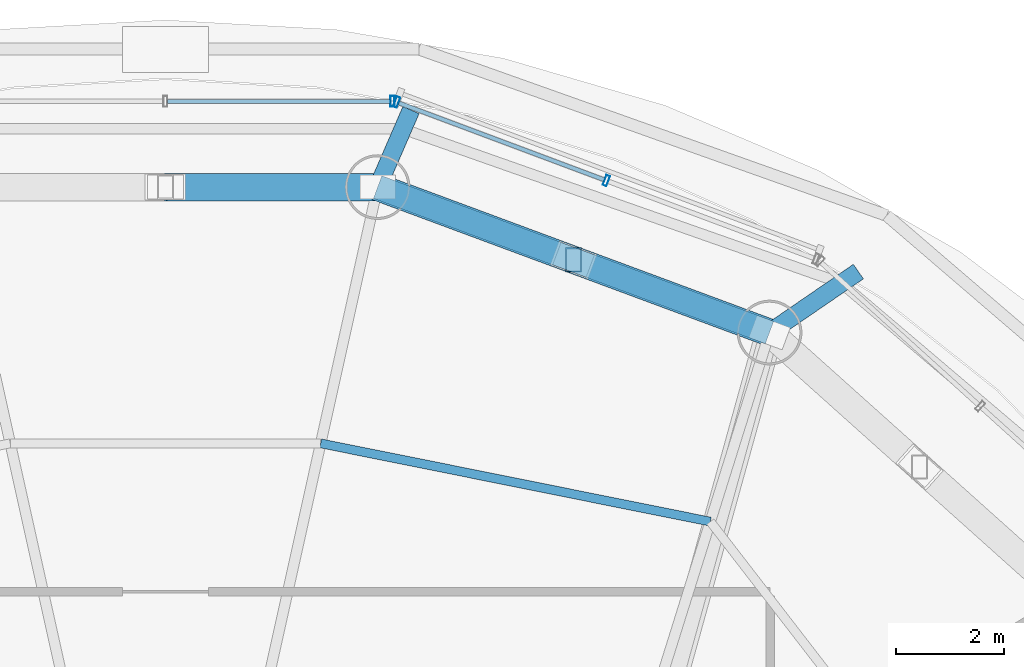
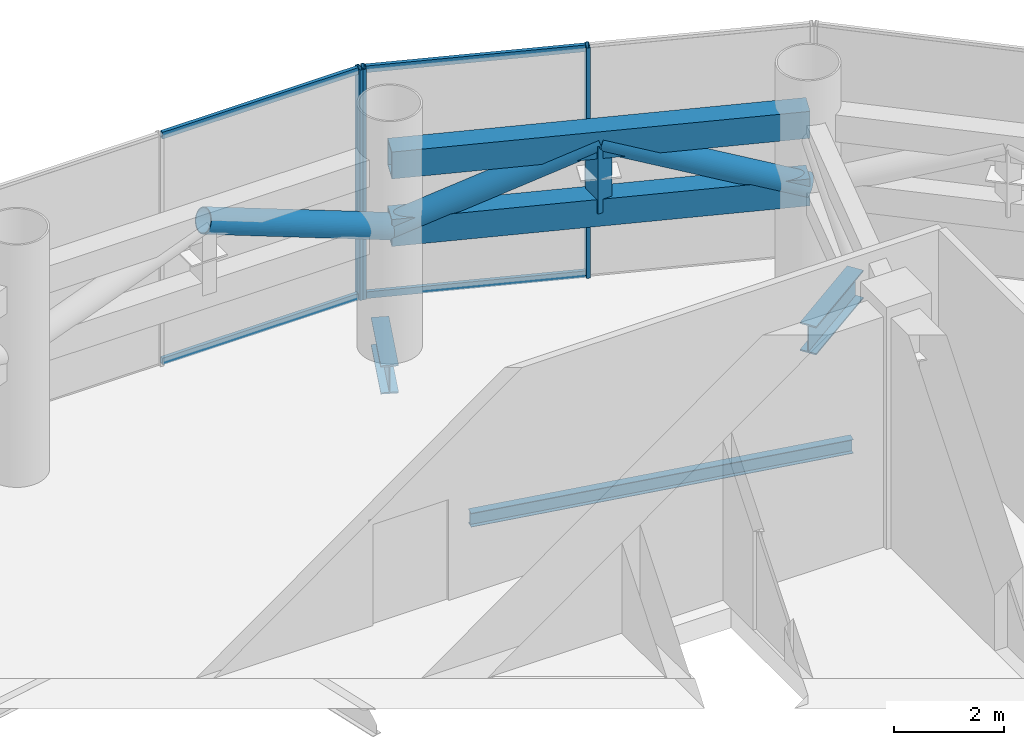
# One storey, part 17 of 25: 13 members, 3 beams, 2 elements without a shape of their own.
"""IFC4 building model written with IfcOpenShell, lengths in metres."""

from ifc_helpers import new_model, si_unit, direction, frame, origin, origin_2d, place, context, subcontext, project, spatial, hollow_rectangle, hollow_circle, i_section, extrude, source, transform, mapped, material, material_profile, profile_set, type_object, element, aggregate, save


model = new_model("IFC4")

# Units and contexts
model_context = context("Model", 3, precision=1e-05, world=origin(), true_north=direction((-0.2419218956, 0.970295726276)))
body_context = subcontext(model_context, "Body", "Model", "MODEL_VIEW")
ifc_project = project(units=[si_unit("LENGTHUNIT", "METRE"), si_unit("AREAUNIT", "SQUARE_METRE"), si_unit("VOLUMEUNIT", "CUBIC_METRE"), si_unit("PLANEANGLEUNIT", "RADIAN"), si_unit("MASSUNIT", "GRAM", prefix="KILO")], contexts=[model_context])

# Site, building, storey
site_placement = place(None, origin())
site = spatial("IfcSite", under=ifc_project, at=site_placement, CompositionType="ELEMENT")
building_placement = place(site_placement, origin())
building = spatial("IfcBuilding", under=site, at=building_placement, Name="Cobrevalo Terracotta Tower", CompositionType="ELEMENT")
storey_placement = place(building_placement, frame((0.0, 0.0, 185.800048828125)))
storey = spatial("IfcBuildingStorey", under=building, at=storey_placement, Name="L49", CompositionType="ELEMENT", Elevation=185.800048828125)

# Beams
ifc_material_1 = material(Name="Steel S355", Category="steel")
ifc_material_profile_1 = material_profile(ifc_material_1, i_section(OverallWidth=0.3291015625, OverallDepth=0.635009765625, WebThickness=0.017822265625, FlangeThickness=0.031005859375, at=origin_2d()), Name="W 610x241")
ifc_profile_set_1 = profile_set([ifc_material_profile_1], Name="Steel S355")
beam_type_1 = type_object("IfcBeamType", Name="Structural Beam W 610x241 (Steel S355)", PredefinedType="BEAM", material=ifc_profile_set_1)
beam_1_placement = place(storey_placement, frame((50.841552734375, 42.9375, -0.767578125), z_axis=(-0.82467996977, -0.565599635308, 0.0), x_axis=(0.565599635308, -0.82467996977, 0.0)))
element("IfcBeam", 1, at=beam_1_placement, inside=storey, type_object=beam_type_1, Name="L49 setback step-link girder 03", PredefinedType="BEAM", context=body_context, shape_type="SweptSolid", body=[
    extrude(i_section(OverallWidth=0.3291015625, OverallDepth=0.635009765625, WebThickness=0.017822265625, FlangeThickness=0.031005859375, at=origin_2d()), origin(), (0.0, 0.0, 1.0), 1.996826171875),
])
beam_2_placement = place(storey_placement, frame((42.550537109375, 45.9306640625, -0.767578125), z_axis=(-0.398043294493, -0.91736663102, 0.0), x_axis=(0.91736663102, -0.398043294493, 0.0)))
element("IfcBeam", 2, at=beam_2_placement, inside=storey, type_object=beam_type_1, Name="L49 setback step-link girder 04", PredefinedType="BEAM", context=body_context, shape_type="SweptSolid", body=[
    extrude(i_section(OverallWidth=0.3291015625, OverallDepth=0.635009765625, WebThickness=0.017822265625, FlangeThickness=0.031005859375, at=origin_2d()), origin(), (0.0, 0.0, 1.0), 1.55615234375),
])
ifc_material_profile_2 = material_profile(ifc_material_1, i_section(OverallWidth=0.1650390625, OverallDepth=0.31005859375, WebThickness=0.005859375, FlangeThickness=0.009765625, at=origin_2d()), Name="W 310x38.7")
ifc_profile_set_2 = profile_set([ifc_material_profile_2], Name="Steel S355")
beam_type_2 = type_object("IfcBeamType", Name="Structural Joist W 310x38.7 (Steel S355)", PredefinedType="JOIST", material=ifc_profile_set_2)
beam_3_placement = place(storey_placement, frame((48.097412109375, 38.303955078125, -0.60498046875), z_axis=(-0.980423545849, 0.196900154253, 0.0), x_axis=(-0.196900154253, -0.980423545849, 0.0)))
element("IfcBeam", 3, at=beam_3_placement, inside=storey, type_object=beam_type_2, Name="L49 circumferential secondary floor joist 03", PredefinedType="JOIST", context=body_context, shape_type="SweptSolid", body=[
    extrude(i_section(OverallWidth=0.1650390625, OverallDepth=0.31005859375, WebThickness=0.005859375, FlangeThickness=0.009765625, at=origin_2d()), origin(), (0.0, 0.0, 1.0), 7.365234375),
])

# Members
ifc_material_profile_3 = material_profile(ifc_material_1, hollow_rectangle(XDim=0.300048828125, YDim=0.449951171875, WallThickness=0.02001953125, at=origin_2d()), Name="RHS 450x300x20")
ifc_profile_set_3 = profile_set([ifc_material_profile_3], Name="Steel S355")
member_type_1 = type_object("IfcMemberType", Name="Steel Post RHS 450x300x20 (Steel S355)", PredefinedType="POST", material=ifc_profile_set_3)
shared_shape_1 = source(origin(), body_context, "Body", "SweptSolid", [
    extrude(hollow_rectangle(XDim=0.300048828125, YDim=0.449951171875, WallThickness=0.02001953125, at=origin_2d()), origin(), (0.0, 0.0, 1.0), 1.505126953125),
])
member_1_placement = place(storey_placement, frame((45.56298828125, 43.155517578125, 2.64990234375), z_axis=(0.0, 0.0, 1.0), x_axis=(1.0, 0.0, 0.0)))
element("IfcMember", 4, at=member_1_placement, inside=storey, type_object=member_type_1, Name="L49 belt truss post 03", PredefinedType="POST", context=body_context, shape_type="MappedRepresentation", body=[
    mapped(shared_shape_1, transform((0.0, 0.0, 0.0), scale=1.0)),
])
ifc_material_profile_4 = material_profile(ifc_material_1, hollow_rectangle(XDim=0.449951171875, YDim=0.60009765625, WallThickness=0.028076171875, at=origin_2d()), Name="RHS 600x450x28")
ifc_profile_set_4 = profile_set([ifc_material_profile_4], Name="Steel S355")
member_type_2 = type_object("IfcMemberType", Name="Steel Chord RHS 600x450x28 (Steel S355)", PredefinedType="CHORD", material=ifc_profile_set_4)
shared_shape_2 = source(origin(), body_context, "Body", "SweptSolid", [
    extrude(hollow_rectangle(XDim=0.449951171875, YDim=0.60009765625, WallThickness=0.028076171875, at=origin_2d()), origin(), (0.0, 0.0, 1.0), 7.74755859375),
])
for number, where, z_axis, x_axis, name in (
    (5, (49.19482421875, 41.80810546875, 2.64990234375), (-0.937545996665, 0.347861328892, 0.0), (-0.347861328892, -0.937545996665, 0.0), "L49 belt truss chord 03-BC"),
    (6, (49.19482421875, 41.80810546875, 4.155029296875), (-0.937545996665, 0.347861328892, 0.0), (-0.347861328892, -0.937545996665, 0.0), "L49 belt truss chord 03-TC"),
):
    element("IfcMember", number, at=place(storey_placement, frame(where, z_axis=z_axis, x_axis=x_axis)), inside=storey, type_object=member_type_2, Name=name, PredefinedType="CHORD", context=body_context, shape_type="MappedRepresentation", body=[
        mapped(shared_shape_2, transform((0.0, 0.0, 0.0), scale=1.0)),
    ])
ifc_material_profile_5 = material_profile(ifc_material_1, hollow_circle(Radius=0.25390625, WallThickness=0.02001953125, at=origin_2d()), Name="CHS 508x20")
ifc_profile_set_5 = profile_set([ifc_material_profile_5], Name="Steel S355")
member_type_3 = type_object("IfcMemberType", Name="Steel Brace CHS 508x20 (Steel S355)", PredefinedType="BRACE", material=ifc_profile_set_5)
shared_shape_3 = source(origin(), body_context, "Body", "SweptSolid", [
    extrude(hollow_circle(Radius=0.25390625, WallThickness=0.02001953125, at=origin_2d()), origin(), (0.0, 0.0, 1.0), 4.15576171875),
])
member_2_placement = place(storey_placement, frame((49.19482421875, 41.80810546875, 2.64990234375), z_axis=(-0.873907532871, 0.32421992968, 0.362169934132), x_axis=(-0.347833629596, -0.937556273576, 0.0)))
element("IfcMember", 7, at=member_2_placement, inside=storey, type_object=member_type_3, Name="L49 belt truss diagonal brace 03-D1", PredefinedType="BRACE", context=body_context, shape_type="MappedRepresentation", body=[
    mapped(shared_shape_3, transform((0.0, 0.0, 0.0), scale=1.0)),
])
shared_shape_4 = source(origin(), body_context, "Body", "SweptSolid", [
    extrude(hollow_circle(Radius=0.25390625, WallThickness=0.02001953125, at=origin_2d()), origin(), (0.0, 0.0, 1.0), 4.156005859375),
])
member_3_placement = place(storey_placement, frame((41.93115234375, 44.503173828125, 2.64990234375), z_axis=(0.873890886812, -0.324272499005, 0.362163035574), x_axis=(0.347889027276, 0.93753571916, 0.0)))
element("IfcMember", 8, at=member_3_placement, inside=storey, type_object=member_type_3, Name="L49 belt truss diagonal brace 03-D2", PredefinedType="BRACE", context=body_context, shape_type="MappedRepresentation", body=[
    mapped(shared_shape_4, transform((0.0, 0.0, 0.0), scale=1.0)),
])
shared_shape_5 = source(origin(), body_context, "Body", "SweptSolid", [
    extrude(hollow_circle(Radius=0.25390625, WallThickness=0.02001953125, at=origin_2d()), origin(), (0.0, 0.0, 1.0), 4.20947265625),
])
member_4_placement = place(storey_placement, frame((41.93115234375, 44.503173828125, 2.64990234375), z_axis=(-0.933890131622, 0.0, 0.35756009573), x_axis=(0.0, -1.0, 0.0)))
element("IfcMember", 9, at=member_4_placement, inside=storey, type_object=member_type_3, Name="L49 belt truss diagonal brace 04-D1", PredefinedType="BRACE", context=body_context, shape_type="MappedRepresentation", body=[
    mapped(shared_shape_5, transform((0.0, 0.0, 0.0), scale=1.0)),
])

# Curtain wall, members
ifc_material_2 = material(Name="Anodized aluminium", Category="aluminium")
curtain_wall_type = type_object("IfcCurtainWallType", Name="Belt-truss plant acoustic weather-louvre curtain wall CW-LV", PredefinedType="NOTDEFINED", material=ifc_material_2)
curtain_wall_1_placement = place(storey_placement, origin())
curtain_wall_1 = element("IfcCurtainWall", 10, at=curtain_wall_1_placement, inside=storey, type_object=curtain_wall_type, Name="L49 curtain wall CW-LV-L49-S03", PredefinedType="NOTDEFINED")
ifc_material_profile_6 = material_profile(ifc_material_2, hollow_rectangle(XDim=0.074951171875, YDim=0.199951171875, WallThickness=0.0048828125, at=origin_2d()), Name="CWM 75x200")
ifc_profile_set_6 = profile_set([ifc_material_profile_6], Name="Anodized aluminium")
member_type_4 = type_object("IfcMemberType", Name="Lower/mid tower unitised mullion 75x200", PredefinedType="MULLION", material=ifc_profile_set_6)
shared_shape_6 = source(origin(), body_context, "Body", "SweptSolid", [
    extrude(hollow_rectangle(XDim=0.074951171875, YDim=0.199951171875, WallThickness=0.0048828125, at=origin_2d()), origin(), (0.0, 0.0, 1.0), 5.135009765625),
])
member_5_placement = place(storey_placement, frame((46.1708984375, 44.62353515625, 0.0), z_axis=(0.0, 0.0, 1.0), x_axis=(-0.936556004584, 0.350517974259, 0.0)))
member_5 = element("IfcMember", 11, at=member_5_placement, type_object=member_type_4, Name="CW-LV-L49-S03 vertical mullion 02", PredefinedType="MULLION", context=body_context, shape_type="MappedRepresentation", body=[
    mapped(shared_shape_6, transform((0.0, 0.0, 0.0), scale=1.0)),
])
member_6_placement = place(storey_placement, frame((42.28466796875, 46.078125, 0.0), z_axis=(0.0, 0.0, 1.0), x_axis=(-0.936556004584, 0.350517974259, 0.0)))
member_6 = element("IfcMember", 12, at=member_6_placement, type_object=member_type_4, Name="CW-LV-L49-S03 vertical mullion 03", PredefinedType="MULLION", context=body_context, shape_type="MappedRepresentation", body=[
    mapped(shared_shape_6, transform((0.0, 0.0, 0.0), scale=1.0)),
])

# Curtain wall, member
curtain_wall_2_placement = place(storey_placement, origin())
curtain_wall_2 = element("IfcCurtainWall", 13, at=curtain_wall_2_placement, inside=storey, type_object=curtain_wall_type, Name="L49 curtain wall CW-LV-L49-S04", PredefinedType="NOTDEFINED")
member_7_placement = place(storey_placement, frame((42.20703125, 46.092041015625, 0.0), z_axis=(0.0, 0.0, 1.0), x_axis=(-1.0, 0.0, 0.0)))
member_7 = element("IfcMember", 14, at=member_7_placement, type_object=member_type_4, Name="CW-LV-L49-S04 vertical mullion 01", PredefinedType="MULLION", context=body_context, shape_type="MappedRepresentation", body=[
    mapped(shared_shape_6, transform((0.0, 0.0, 0.0), scale=1.0)),
])

# Member
ifc_material_profile_7 = material_profile(ifc_material_2, hollow_rectangle(XDim=0.074951171875, YDim=0.14990234375, WallThickness=0.00439453125, at=origin_2d()), Name="CWT 75x150")
ifc_profile_set_7 = profile_set([ifc_material_profile_7], Name="Anodized aluminium")
member_type_5 = type_object("IfcMemberType", Name="Tower unitised aluminium transom 75x150", PredefinedType="USERDEFINED", material=ifc_profile_set_7)
shared_shape_7 = source(origin(), body_context, "Body", "SweptSolid", [
    extrude(hollow_rectangle(XDim=0.074951171875, YDim=0.14990234375, WallThickness=0.00439453125, at=origin_2d()), origin(), (0.0, 0.0, 1.0), 4.06982421875),
])
member_8_placement = place(storey_placement, frame((46.133544921875, 44.637451171875, 0.050048828125), z_axis=(-0.936555791772, 0.350518542873, 0.0), x_axis=(-0.350518542873, -0.936555791772, 0.0)))
member_8 = element("IfcMember", 15, at=member_8_placement, type_object=member_type_5, Name="CW-LV-L49-S03 transom B02-T1", ObjectType="TRANSOM", PredefinedType="USERDEFINED", context=body_context, shape_type="MappedRepresentation", body=[
    mapped(shared_shape_7, transform((0.0, 0.0, 0.0), scale=1.0)),
])

member_9_placement = place(storey_placement, frame((46.133544921875, 44.637451171875, 5.0849609375), z_axis=(-0.936555791772, 0.350518542873, 0.0), x_axis=(-0.350518542873, -0.936555791772, 0.0)))
member_9 = element("IfcMember", 16, at=member_9_placement, type_object=member_type_5, Name="CW-LV-L49-S03 transom B02-T2", ObjectType="TRANSOM", PredefinedType="USERDEFINED", context=body_context, shape_type="MappedRepresentation", body=[
    mapped(shared_shape_7, transform((0.0, 0.0, 0.0), scale=1.0)),
])

aggregate(curtain_wall_1, [member_5, member_6, member_8, member_9])

shared_shape_8 = source(origin(), body_context, "Body", "SweptSolid", [
    extrude(hollow_rectangle(XDim=0.074951171875, YDim=0.14990234375, WallThickness=0.00439453125, at=origin_2d()), origin(), (0.0, 0.0, 1.0), 4.127197265625),
])
member_10_placement = place(storey_placement, frame((42.167236328125, 46.092041015625, 0.050048828125), z_axis=(-1.0, 0.0, 0.0), x_axis=(0.0, -1.0, 0.0)))
member_10 = element("IfcMember", 17, at=member_10_placement, type_object=member_type_5, Name="CW-LV-L49-S04 transom B01-T1", ObjectType="TRANSOM", PredefinedType="USERDEFINED", context=body_context, shape_type="MappedRepresentation", body=[
    mapped(shared_shape_8, transform((0.0, 0.0, 0.0), scale=1.0)),
])

member_11_placement = place(storey_placement, frame((42.167236328125, 46.092041015625, 5.0849609375), z_axis=(-1.0, 0.0, 0.0), x_axis=(0.0, -1.0, 0.0)))
member_11 = element("IfcMember", 18, at=member_11_placement, type_object=member_type_5, Name="CW-LV-L49-S04 transom B01-T2", ObjectType="TRANSOM", PredefinedType="USERDEFINED", context=body_context, shape_type="MappedRepresentation", body=[
    mapped(shared_shape_8, transform((0.0, 0.0, 0.0), scale=1.0)),
])

aggregate(curtain_wall_2, [member_7, member_10, member_11])

save(model, "model.ifc")
